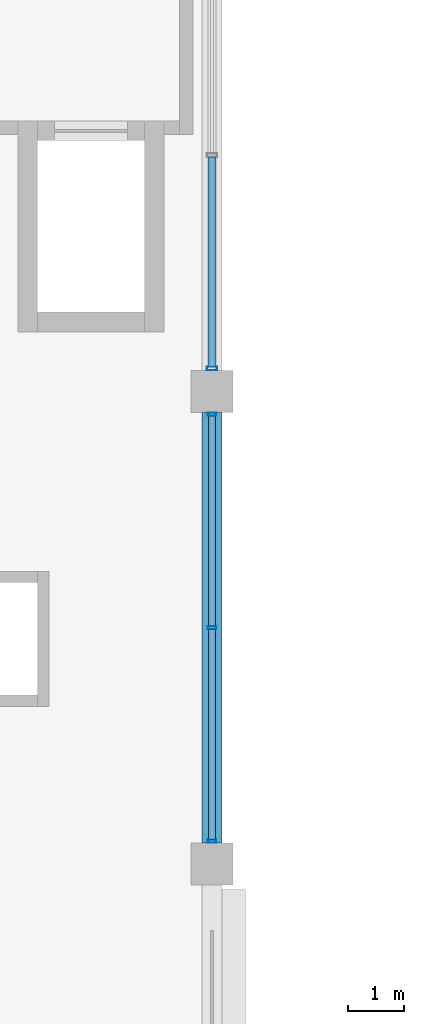
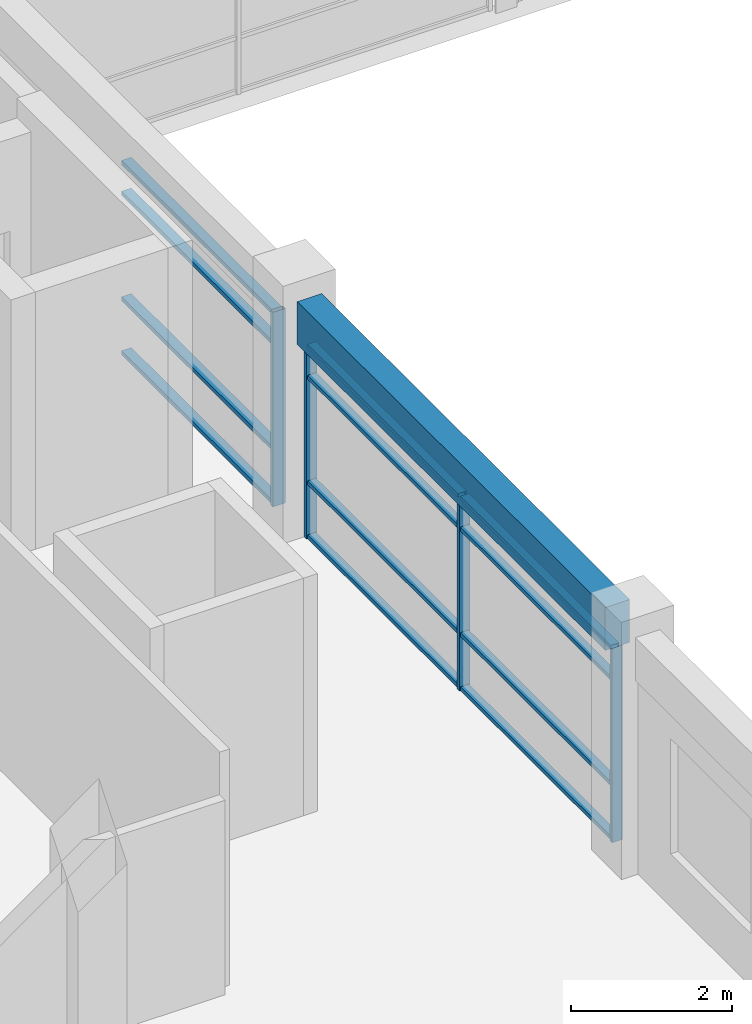
# One storey, part 6 of 72: 16 members, 1 beam, 2 elements without a shape of their own.
"""IFC4 building model written with IfcOpenShell, lengths in metres."""

from ifc_helpers import new_model, si_unit, direction, frame, origin, origin_2d, place, context, subcontext, project, spatial, rectangle, hollow_rectangle, extrude, material, material_profile, profile_set, type_object, element, aggregate, save


model = new_model("IFC4")

# Units and contexts
model_context = context("Model", 3, precision=1e-05, world=origin(), true_north=direction((0.0, 1.0)))
body_context = subcontext(model_context, "Body", "Model", "MODEL_VIEW")
ifc_project = project(units=[si_unit("LENGTHUNIT", "METRE"), si_unit("AREAUNIT", "SQUARE_METRE"), si_unit("VOLUMEUNIT", "CUBIC_METRE"), si_unit("PLANEANGLEUNIT", "RADIAN"), si_unit("MASSUNIT", "GRAM", prefix="KILO"), si_unit("THERMODYNAMICTEMPERATUREUNIT", "KELVIN"), si_unit("POWERUNIT", "WATT")], contexts=[model_context])

# Site, building, storey
site_placement = place(None, origin())
site = spatial("IfcSite", under=ifc_project, at=site_placement, CompositionType="ELEMENT")
building_placement = place(site_placement, origin())
building = spatial("IfcBuilding", under=site, at=building_placement, Name="Srebrne Nadtorze General Hospital", CompositionType="ELEMENT")
storey_placement = place(building_placement, frame((0.0, 0.0, 22.199951171875)))
storey = spatial("IfcBuildingStorey", under=building, at=storey_placement, Name="L05", CompositionType="ELEMENT", Elevation=22.199951171875)

# Curtain wall, members
ifc_material_1 = material(Name="Anodised Aluminium", Category="aluminium")
curtain_wall_type = type_object("IfcCurtainWallType", Name="Unitised curtain wall 7650x2950", PredefinedType="NOTDEFINED", material=ifc_material_1)
curtain_wall_1_placement = place(storey_placement, origin())
curtain_wall_1 = element("IfcCurtainWall", 1, at=curtain_wall_1_placement, inside=storey, type_object=curtain_wall_type, Name="Curtain wall CW-130", PredefinedType="NOTDEFINED")
ifc_material_2 = material(Name="Anodised Aluminium", Category="aluminium")
ifc_material_profile_1 = material_profile(ifc_material_2, hollow_rectangle(XDim=0.06005859375, YDim=0.14990234375, WallThickness=0.00390625, at=origin_2d()), Name="AL-MUL-60x150")
ifc_profile_set_1 = profile_set([ifc_material_profile_1], Name="Anodised Aluminium")
member_type_1 = type_object("IfcMemberType", Name="Curtain mullion 60x150", PredefinedType="MULLION", material=ifc_profile_set_1)
member_1_placement = place(storey_placement, frame((54.60009765625, 34.0048828125, 0.0), z_axis=(0.0, 0.0, 1.0), x_axis=(0.0, 1.0, 0.0)))
member_1 = element("IfcMember", 2, at=member_1_placement, type_object=member_type_1, Name="CW-130 mullion 1", PredefinedType="MULLION", context=body_context, shape_type="SweptSolid", body=[
    extrude(hollow_rectangle(XDim=0.06005859375, YDim=0.14990234375, WallThickness=0.00390625, at=origin_2d()), origin(), (0.0, 0.0, 1.0), 2.949951171875),
])
member_2_placement = place(storey_placement, frame((54.60009765625, 37.800048828125, 0.0), z_axis=(0.0, 0.0, 1.0), x_axis=(0.0, 1.0, 0.0)))
member_2 = element("IfcMember", 3, at=member_2_placement, type_object=member_type_1, Name="CW-130 mullion 2", PredefinedType="MULLION", context=body_context, shape_type="SweptSolid", body=[
    extrude(hollow_rectangle(XDim=0.06005859375, YDim=0.14990234375, WallThickness=0.00390625, at=origin_2d()), origin(), (0.0, 0.0, 1.0), 2.949951171875),
])
member_3_placement = place(storey_placement, frame((54.60009765625, 41.594970703125, 0.0), z_axis=(0.0, 0.0, 1.0), x_axis=(0.0, 1.0, 0.0)))
member_3 = element("IfcMember", 4, at=member_3_placement, type_object=member_type_1, Name="CW-130 mullion 3", PredefinedType="MULLION", context=body_context, shape_type="SweptSolid", body=[
    extrude(hollow_rectangle(XDim=0.06005859375, YDim=0.14990234375, WallThickness=0.00390625, at=origin_2d()), origin(), (0.0, 0.0, 1.0), 2.949951171875),
])

# Curtain wall, member
curtain_wall_2_placement = place(storey_placement, origin())
curtain_wall_2 = element("IfcCurtainWall", 5, at=curtain_wall_2_placement, inside=storey, type_object=curtain_wall_type, Name="Curtain wall CW-131", PredefinedType="NOTDEFINED")
ifc_material_3 = material(Name="Anodised Aluminium", Category="aluminium")
ifc_material_profile_2 = material_profile(ifc_material_3, hollow_rectangle(XDim=0.06494140625, YDim=0.179931640625, WallThickness=0.00390625, at=origin_2d()), Name="AL-MUL-65x180")
ifc_profile_set_2 = profile_set([ifc_material_profile_2], Name="Anodised Aluminium")
member_type_2 = type_object("IfcMemberType", Name="Curtain mullion 65x180", PredefinedType="MULLION", material=ifc_profile_set_2)
member_4_placement = place(storey_placement, frame((54.60009765625, 42.407470703125, 0.0), z_axis=(0.0, 0.0, 1.0), x_axis=(0.0, 1.0, 0.0)))
member_4 = element("IfcMember", 6, at=member_4_placement, type_object=member_type_2, Name="CW-131 mullion 1", PredefinedType="MULLION", context=body_context, shape_type="SweptSolid", body=[
    extrude(hollow_rectangle(XDim=0.06494140625, YDim=0.179931640625, WallThickness=0.00390625, at=origin_2d()), origin(), (0.0, 0.0, 1.0), 2.949951171875),
])

# Member
ifc_material_4 = material(Name="Anodised Aluminium", Category="aluminium")
ifc_material_profile_3 = material_profile(ifc_material_4, hollow_rectangle(XDim=0.06005859375, YDim=0.1201171875, WallThickness=0.00390625, at=origin_2d()), Name="AL-TRN-60x120")
ifc_profile_set_3 = profile_set([ifc_material_profile_3], Name="Anodised Aluminium")
member_type_3 = type_object("IfcMemberType", Name="Curtain transom 60x120", PredefinedType="USERDEFINED", material=ifc_profile_set_3)
member_5_placement = place(storey_placement, frame((54.60009765625, 34.034912109375, 0.030029296875), z_axis=(0.0, 1.0, 0.0), x_axis=(0.0, 0.0, 1.0)))
member_5 = element("IfcMember", 7, at=member_5_placement, type_object=member_type_3, Name="CW-130 transom 1.1", ObjectType="TRANSOM", PredefinedType="USERDEFINED", context=body_context, shape_type="SweptSolid", body=[
    extrude(hollow_rectangle(XDim=0.06005859375, YDim=0.1201171875, WallThickness=0.00390625, at=origin_2d()), origin(), (0.0, 0.0, 1.0), 3.735107421875),
])

member_6_placement = place(storey_placement, frame((54.60009765625, 34.034912109375, 0.85009765625), z_axis=(0.0, 1.0, 0.0), x_axis=(0.0, 0.0, 1.0)))
member_6 = element("IfcMember", 8, at=member_6_placement, type_object=member_type_3, Name="CW-130 transom 1.2", ObjectType="TRANSOM", PredefinedType="USERDEFINED", context=body_context, shape_type="SweptSolid", body=[
    extrude(hollow_rectangle(XDim=0.06005859375, YDim=0.1201171875, WallThickness=0.00390625, at=origin_2d()), origin(), (0.0, 0.0, 1.0), 3.735107421875),
])

member_7_placement = place(storey_placement, frame((54.60009765625, 34.034912109375, 2.449951171875), z_axis=(0.0, 1.0, 0.0), x_axis=(0.0, 0.0, 1.0)))
member_7 = element("IfcMember", 9, at=member_7_placement, type_object=member_type_3, Name="CW-130 transom 1.3", ObjectType="TRANSOM", PredefinedType="USERDEFINED", context=body_context, shape_type="SweptSolid", body=[
    extrude(hollow_rectangle(XDim=0.06005859375, YDim=0.1201171875, WallThickness=0.00390625, at=origin_2d()), origin(), (0.0, 0.0, 1.0), 3.735107421875),
])

member_8_placement = place(storey_placement, frame((54.60009765625, 34.034912109375, 2.920166015625), z_axis=(0.0, 1.0, 0.0), x_axis=(0.0, 0.0, 1.0)))
member_8 = element("IfcMember", 10, at=member_8_placement, type_object=member_type_3, Name="CW-130 transom 1.4", ObjectType="TRANSOM", PredefinedType="USERDEFINED", context=body_context, shape_type="SweptSolid", body=[
    extrude(hollow_rectangle(XDim=0.06005859375, YDim=0.1201171875, WallThickness=0.00390625, at=origin_2d()), origin(), (0.0, 0.0, 1.0), 3.735107421875),
])

member_9_placement = place(storey_placement, frame((54.60009765625, 37.830078125, 0.030029296875), z_axis=(0.0, 1.0, 0.0), x_axis=(0.0, 0.0, 1.0)))
member_9 = element("IfcMember", 11, at=member_9_placement, type_object=member_type_3, Name="CW-130 transom 2.1", ObjectType="TRANSOM", PredefinedType="USERDEFINED", context=body_context, shape_type="SweptSolid", body=[
    extrude(hollow_rectangle(XDim=0.06005859375, YDim=0.1201171875, WallThickness=0.00390625, at=origin_2d()), origin(), (0.0, 0.0, 1.0), 3.73486328125),
])

member_10_placement = place(storey_placement, frame((54.60009765625, 37.830078125, 0.85009765625), z_axis=(0.0, 1.0, 0.0), x_axis=(0.0, 0.0, 1.0)))
member_10 = element("IfcMember", 12, at=member_10_placement, type_object=member_type_3, Name="CW-130 transom 2.2", ObjectType="TRANSOM", PredefinedType="USERDEFINED", context=body_context, shape_type="SweptSolid", body=[
    extrude(hollow_rectangle(XDim=0.06005859375, YDim=0.1201171875, WallThickness=0.00390625, at=origin_2d()), origin(), (0.0, 0.0, 1.0), 3.73486328125),
])

member_11_placement = place(storey_placement, frame((54.60009765625, 37.830078125, 2.449951171875), z_axis=(0.0, 1.0, 0.0), x_axis=(0.0, 0.0, 1.0)))
member_11 = element("IfcMember", 13, at=member_11_placement, type_object=member_type_3, Name="CW-130 transom 2.3", ObjectType="TRANSOM", PredefinedType="USERDEFINED", context=body_context, shape_type="SweptSolid", body=[
    extrude(hollow_rectangle(XDim=0.06005859375, YDim=0.1201171875, WallThickness=0.00390625, at=origin_2d()), origin(), (0.0, 0.0, 1.0), 3.73486328125),
])

member_12_placement = place(storey_placement, frame((54.60009765625, 37.830078125, 2.920166015625), z_axis=(0.0, 1.0, 0.0), x_axis=(0.0, 0.0, 1.0)))
member_12 = element("IfcMember", 14, at=member_12_placement, type_object=member_type_3, Name="CW-130 transom 2.4", ObjectType="TRANSOM", PredefinedType="USERDEFINED", context=body_context, shape_type="SweptSolid", body=[
    extrude(hollow_rectangle(XDim=0.06005859375, YDim=0.1201171875, WallThickness=0.00390625, at=origin_2d()), origin(), (0.0, 0.0, 1.0), 3.73486328125),
])

aggregate(curtain_wall_1, [member_1, member_2, member_3, member_5, member_6, member_7, member_8, member_9, member_10, member_11, member_12])

ifc_material_5 = material(Name="Anodised Aluminium", Category="aluminium")
ifc_material_profile_4 = material_profile(ifc_material_5, hollow_rectangle(XDim=0.06494140625, YDim=0.139892578125, WallThickness=0.00390625, at=origin_2d()), Name="AL-TRN-65x140")
ifc_profile_set_4 = profile_set([ifc_material_profile_4], Name="Anodised Aluminium")
member_type_4 = type_object("IfcMemberType", Name="Curtain transom 65x140", PredefinedType="USERDEFINED", material=ifc_profile_set_4)
member_13_placement = place(storey_placement, frame((54.60009765625, 42.43994140625, 0.032470703125), z_axis=(0.0, 1.0, 0.0), x_axis=(0.0, 0.0, 1.0)))
member_13 = element("IfcMember", 15, at=member_13_placement, type_object=member_type_4, Name="CW-131 transom 1.1", ObjectType="TRANSOM", PredefinedType="USERDEFINED", context=body_context, shape_type="SweptSolid", body=[
    extrude(hollow_rectangle(XDim=0.06494140625, YDim=0.139892578125, WallThickness=0.00390625, at=origin_2d()), origin(), (0.0, 0.0, 1.0), 3.7275390625),
])

member_14_placement = place(storey_placement, frame((54.60009765625, 42.43994140625, 0.85009765625), z_axis=(0.0, 1.0, 0.0), x_axis=(0.0, 0.0, 1.0)))
member_14 = element("IfcMember", 16, at=member_14_placement, type_object=member_type_4, Name="CW-131 transom 1.2", ObjectType="TRANSOM", PredefinedType="USERDEFINED", context=body_context, shape_type="SweptSolid", body=[
    extrude(hollow_rectangle(XDim=0.06494140625, YDim=0.139892578125, WallThickness=0.00390625, at=origin_2d()), origin(), (0.0, 0.0, 1.0), 3.7275390625),
])

member_15_placement = place(storey_placement, frame((54.60009765625, 42.43994140625, 2.449951171875), z_axis=(0.0, 1.0, 0.0), x_axis=(0.0, 0.0, 1.0)))
member_15 = element("IfcMember", 17, at=member_15_placement, type_object=member_type_4, Name="CW-131 transom 1.3", ObjectType="TRANSOM", PredefinedType="USERDEFINED", context=body_context, shape_type="SweptSolid", body=[
    extrude(hollow_rectangle(XDim=0.06494140625, YDim=0.139892578125, WallThickness=0.00390625, at=origin_2d()), origin(), (0.0, 0.0, 1.0), 3.7275390625),
])

member_16_placement = place(storey_placement, frame((54.60009765625, 42.43994140625, 2.91748046875), z_axis=(0.0, 1.0, 0.0), x_axis=(0.0, 0.0, 1.0)))
member_16 = element("IfcMember", 18, at=member_16_placement, type_object=member_type_4, Name="CW-131 transom 1.4", ObjectType="TRANSOM", PredefinedType="USERDEFINED", context=body_context, shape_type="SweptSolid", body=[
    extrude(hollow_rectangle(XDim=0.06494140625, YDim=0.139892578125, WallThickness=0.00390625, at=origin_2d()), origin(), (0.0, 0.0, 1.0), 3.7275390625),
])

aggregate(curtain_wall_2, [member_4, member_13, member_14, member_15, member_16])

# Beam
ifc_material_6 = material(Name="Concrete C35/45", Category="concrete")
ifc_material_profile_5 = material_profile(ifc_material_6, rectangle(XDim=0.35009765625, YDim=0.64990234375, at=origin_2d()), Name="RC-BM-350x650")
ifc_profile_set_5 = profile_set([ifc_material_profile_5], Name="Concrete C35/45")
beam_type = type_object("IfcBeamType", Name="Edge beam RC 350x650", PredefinedType="BEAM", material=ifc_profile_set_5)
beam_placement = place(storey_placement, frame((54.60009765625, 33.97509765625, 3.275146484375), z_axis=(0.0, 1.0, 0.0), x_axis=(-1.0, 0.0, 0.0)))
element("IfcBeam", 19, at=beam_placement, inside=storey, type_object=beam_type, Name="Beam BM-L05-Y-1082", PredefinedType="BEAM", context=body_context, shape_type="SweptSolid", body=[
    extrude(rectangle(XDim=0.35009765625, YDim=0.64990234375, at=origin_2d()), origin(), (0.0, 0.0, 1.0), 7.64990234375),
])

save(model, "model.ifc")
